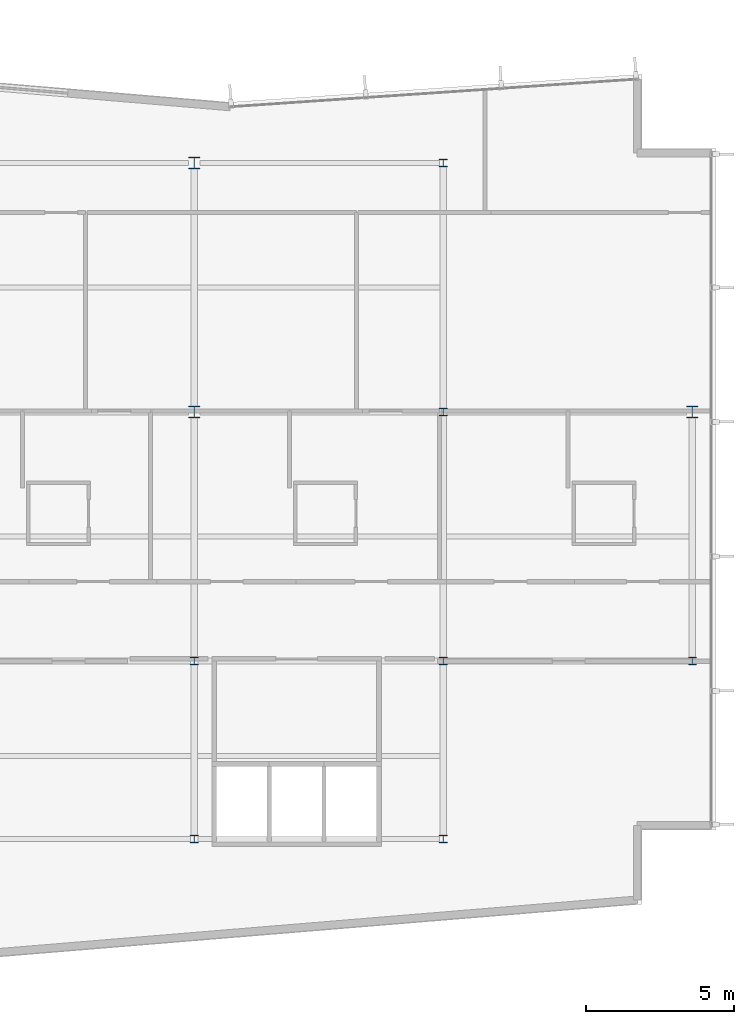
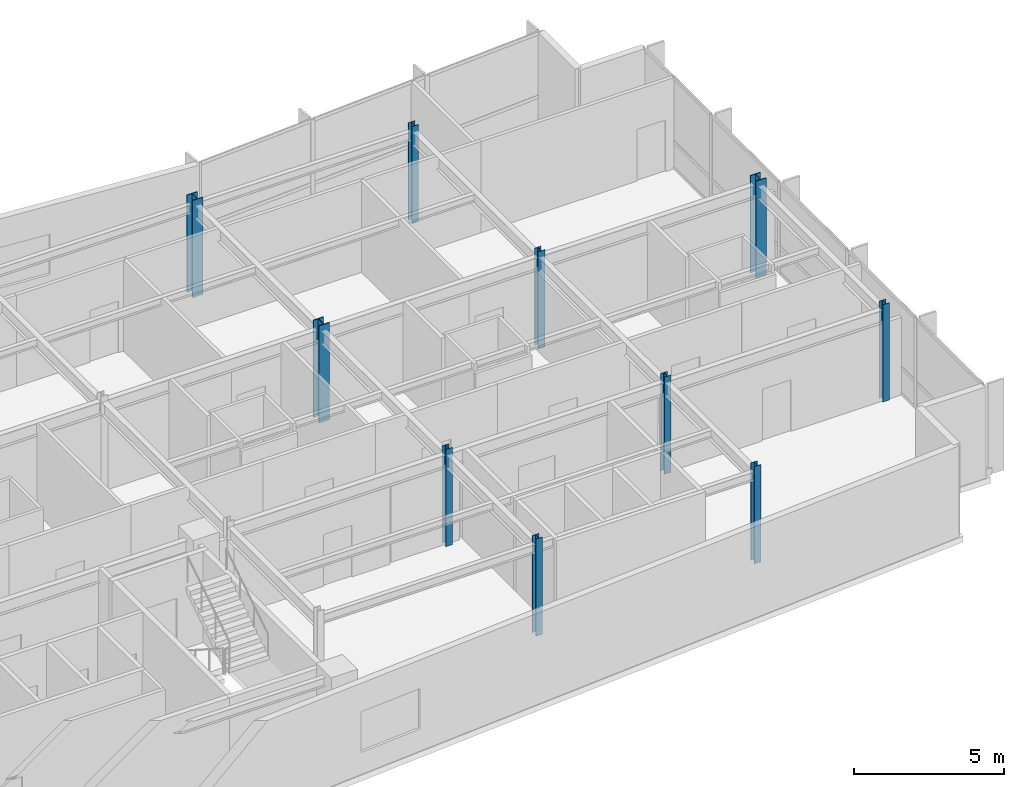
# One storey, part 2 of 17: 10 columns.
"""IFC4 building model written with IfcOpenShell, lengths in metres."""

from ifc_helpers import new_model, si_unit, direction, frame, origin, origin_2d, place, context, subcontext, project, spatial, i_section, extrude, material, material_profile, profile_set, type_object, element, save


model = new_model("IFC4")

# Units and contexts
model_context = context("Model", 3, precision=1e-05, world=origin(), true_north=direction((0.0, 1.0)))
body_context = subcontext(model_context, "Body", "Model", "MODEL_VIEW")
ifc_project = project(units=[si_unit("LENGTHUNIT", "METRE"), si_unit("AREAUNIT", "SQUARE_METRE"), si_unit("VOLUMEUNIT", "CUBIC_METRE"), si_unit("PLANEANGLEUNIT", "RADIAN"), si_unit("MASSUNIT", "GRAM", prefix="KILO")], contexts=[model_context])

# Site, building, storey
site_placement = place(None, origin())
site = spatial("IfcSite", under=ifc_project, at=site_placement, CompositionType="ELEMENT")
building_placement = place(site_placement, origin())
building = spatial("IfcBuilding", under=site, at=building_placement, Name="Varnakote Quay Hospital", CompositionType="ELEMENT")
storey_placement = place(building_placement, frame((0.0, 0.0, 184.199951171875)))
storey = spatial("IfcBuildingStorey", under=building, at=storey_placement, Name="L45", CompositionType="ELEMENT", Elevation=184.199951171875)

# Columns
ifc_material_1 = material(Name="Structural steel AS/NZS 3679.1 Grade 350 L0 (fy 340 MPa)", Category="steel")
ifc_material_profile_1 = material_profile(ifc_material_1, i_section(OverallWidth=0.256103515625, OverallDepth=0.260009765625, WebThickness=0.010498046875, FlangeThickness=0.017333984375, FilletRadius=0.0126953125, at=origin_2d()), Name="250UC89.5")
ifc_profile_set_1 = profile_set([ifc_material_profile_1], Name="Structural steel AS/NZS 3679.1 Grade 350 L0 (fy 340 MPa)")
column_type_1 = type_object("IfcColumnType", Name="COL-STL-250UC89-5", PredefinedType="COLUMN", material=ifc_profile_set_1)
for number, where, z_axis, x_axis, name in (
    (1, (33.60009765625, 6.0, 0.0), (0.0, 0.0, 1.0), (1.0, 0.0, 0.0), "L45 Structural Column C-34-6"),
    (2, (42.0, 6.0, 0.0), (0.0, 0.0, 1.0), (1.0, 0.0, 0.0), "L45 Structural Column C-42-6"),
    (3, (33.60009765625, 12.0, 0.0), (0.0, 0.0, 1.0), (1.0, 0.0, 0.0), "L45 Structural Column C-34-12"),
    (4, (42.0, 12.0, 0.0), (0.0, 0.0, 1.0), (1.0, 0.0, 0.0), "L45 Structural Column C-42-12"),
    (5, (50.39990234375, 12.0, 0.0), (0.0, 0.0, 1.0), (1.0, 0.0, 0.0), "L45 Structural Column C-50-12"),
    (6, (42.0, 20.39990234375, 0.0), (0.0, 0.0, 1.0), (1.0, 0.0, 0.0), "L45 Structural Column C-42-20"),
    (7, (42.0, 28.800048828125, 0.0), (0.0, 0.0, 1.0), (1.0, 0.0, 0.0), "L45 Structural Column C-42-29"),
):
    element("IfcColumn", number, at=place(storey_placement, frame(where, z_axis=z_axis, x_axis=x_axis)), inside=storey, type_object=column_type_1, Name=name, PredefinedType="COLUMN", context=body_context, shape_type="SweptSolid", body=[
        extrude(i_section(OverallWidth=0.256103515625, OverallDepth=0.260009765625, WebThickness=0.010498046875, FlangeThickness=0.017333984375, FilletRadius=0.0126953125, at=origin_2d()), origin(), (0.0, 0.0, 1.0), 3.949951171875),
    ])
ifc_material_2 = material(Name="Structural steel AS/NZS 3678 Grade 350 (fy 340 MPa)", Category="steel")
ifc_material_profile_2 = material_profile(ifc_material_2, i_section(OverallWidth=0.39990234375, OverallDepth=0.404052734375, WebThickness=0.02001953125, FlangeThickness=0.031982421875, at=origin_2d()), Name="400WC270")
ifc_profile_set_2 = profile_set([ifc_material_profile_2], Name="Structural steel AS/NZS 3678 Grade 350 (fy 340 MPa)")
column_type_2 = type_object("IfcColumnType", Name="COL-STL-400WC270", PredefinedType="COLUMN", material=ifc_profile_set_2)
for number, where, z_axis, x_axis, name in (
    (8, (33.60009765625, 20.39990234375, 0.0), (0.0, 0.0, 1.0), (1.0, 0.0, 0.0), "L45 Structural Column C-34-20"),
    (9, (50.39990234375, 20.39990234375, 0.0), (0.0, 0.0, 1.0), (1.0, 0.0, 0.0), "L45 Structural Column C-50-20"),
    (10, (33.60009765625, 28.800048828125, 0.0), (0.0, 0.0, 1.0), (1.0, 0.0, 0.0), "L45 Structural Column C-34-29"),
):
    element("IfcColumn", number, at=place(storey_placement, frame(where, z_axis=z_axis, x_axis=x_axis)), inside=storey, type_object=column_type_2, Name=name, PredefinedType="COLUMN", context=body_context, shape_type="SweptSolid", body=[
        extrude(i_section(OverallWidth=0.39990234375, OverallDepth=0.404052734375, WebThickness=0.02001953125, FlangeThickness=0.031982421875, at=origin_2d()), origin(), (0.0, 0.0, 1.0), 3.949951171875),
    ])

save(model, "model.ifc")
